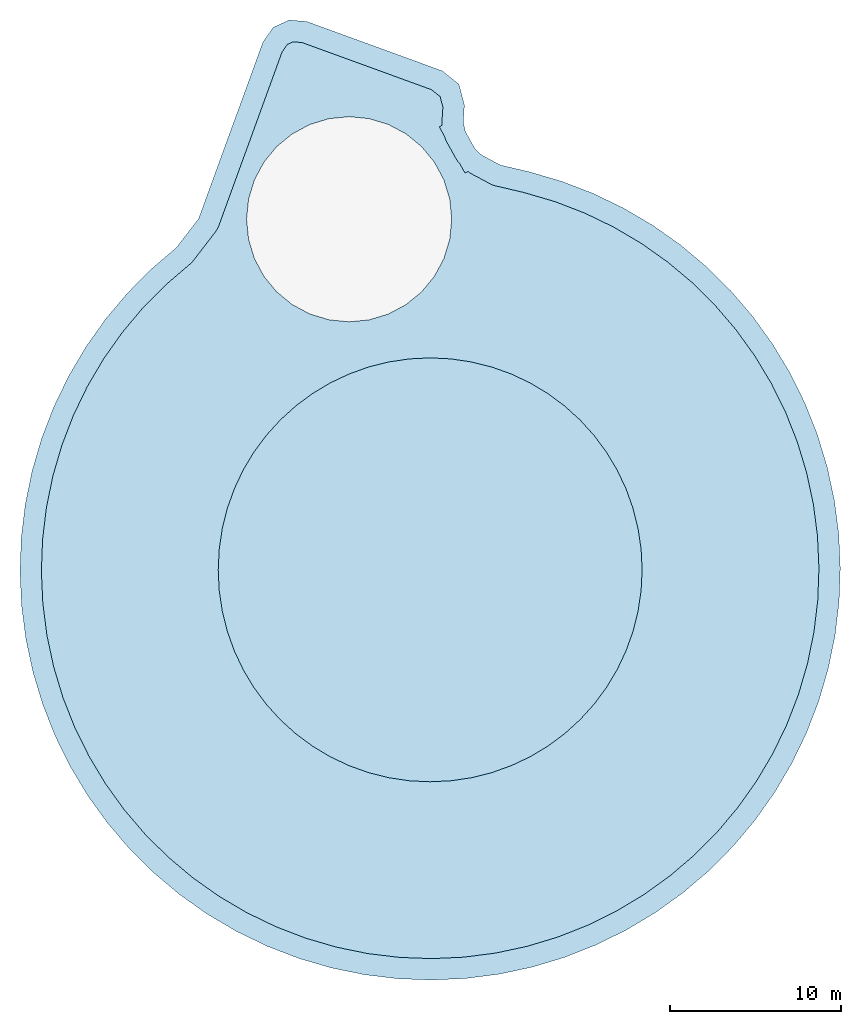
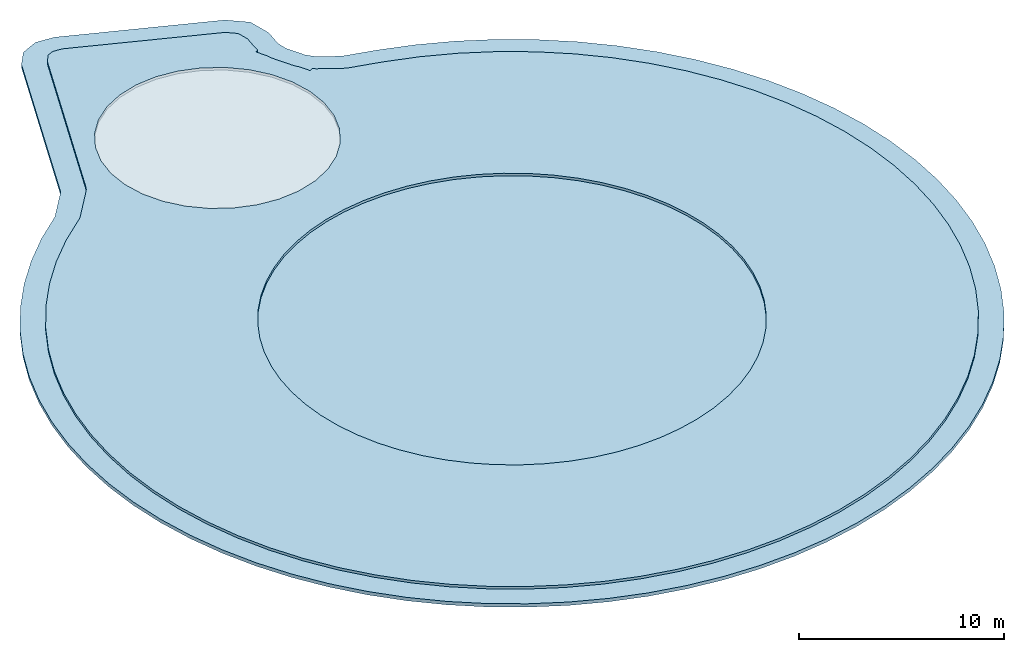
# One storey, part 1 of 2: 1 roof, 1 slab.
"""IFC4 building model written with IfcOpenShell, lengths in metres."""

from ifc_helpers import new_model, si_unit, direction, frame, origin, place, context, subcontext, project, spatial, polyline, outline, extrude, material, layer, layer_set, type_object, element, save


model = new_model("IFC4")

# Units and contexts
model_context = context("Model", 3, precision=1e-05, world=origin(), true_north=direction((0.0, 1.0)))
body_context = subcontext(model_context, "Body", "Model", "MODEL_VIEW")
ifc_project = project(units=[si_unit("LENGTHUNIT", "METRE"), si_unit("AREAUNIT", "SQUARE_METRE"), si_unit("VOLUMEUNIT", "CUBIC_METRE"), si_unit("PLANEANGLEUNIT", "RADIAN"), si_unit("MASSUNIT", "GRAM", prefix="KILO")], contexts=[model_context])

# Site, building, storey
site_placement = place(None, origin())
site = spatial("IfcSite", under=ifc_project, at=site_placement, CompositionType="ELEMENT")
building_placement = place(site_placement, origin())
building = spatial("IfcBuilding", under=site, at=building_placement, Name="Tamarind Cross Interchange Tower", CompositionType="ELEMENT")
storey_placement = place(building_placement, frame((0.0, 0.0, 329.39990234375)))
storey = spatial("IfcBuildingStorey", under=building, at=storey_placement, Name="ROOF", CompositionType="ELEMENT", Elevation=329.39990234375)

# Slab
ifc_material_1 = material(Name="Concrete C40", Category="concrete")
ifc_layer_1 = layer(ifc_material_1, 0.199951171875)
ifc_layer_set_1 = layer_set([ifc_layer_1], Name="Concrete C40")
slab_type = type_object("IfcSlabType", Name="Roof composite slab 200 Concrete C40", PredefinedType="ROOF", material=ifc_layer_set_1)
slab_placement = place(storey_placement, frame((0.0, 0.0, -0.199951171875)))
element("IfcSlab", 1, at=slab_placement, inside=storey, type_object=slab_type, Name="Crown roof slab", PredefinedType="ROOF", context=body_context, shape_type="SweptSolid", body=[
    extrude(outline(polyline([(-9.78173828125, 30.880859375), (-13.54248046875, 20.54736328125), (-14.847900390625, 18.848876953125), (-16.327880859375, 17.584228515625), (-17.72412109375, 16.17578125), (-18.99951171875, 14.656982421875), (-20.14501953125, 13.0380859375), (-21.15283203125, 11.329833984375), (-22.01611328125, 9.54443359375), (-22.72900390625, 7.693603515625), (-23.286865234375, 5.79052734375), (-23.685546875, 3.84765625), (-23.92236328125, 1.878662109375), (-23.99560546875, -0.103271484375), (-23.9052734375, -2.08447265625), (-23.651611328125, -4.051513671875), (-23.236083984375, -5.99072265625), (-22.662109375, -7.88916015625), (-21.93310546875, -9.7333984375), (-21.054443359375, -11.511474609375), (-20.031982421875, -13.2109375), (-18.87255859375, -14.820068359375), (-17.584228515625, -16.327880859375), (-16.17578125, -17.72412109375), (-14.656982421875, -18.99951171875), (-13.0380859375, -20.14501953125), (-11.329833984375, -21.15283203125), (-9.54443359375, -22.01611328125), (-7.693603515625, -22.72900390625), (-5.79052734375, -23.286865234375), (-3.84765625, -23.685546875), (-1.878662109375, -23.92236328125), (0.103271484375, -23.99560546875), (2.08447265625, -23.9052734375), (4.051513671875, -23.651611328125), (5.99072265625, -23.236083984375), (7.88916015625, -22.662109375), (9.7333984375, -21.93310546875), (11.511474609375, -21.054443359375), (13.2109375, -20.031982421875), (14.820068359375, -18.87255859375), (16.327880859375, -17.584228515625), (17.72412109375, -16.17578125), (18.99951171875, -14.656982421875), (20.14501953125, -13.0380859375), (21.15283203125, -11.329833984375), (22.01611328125, -9.54443359375), (22.72900390625, -7.693603515625), (23.286865234375, -5.79052734375), (23.685546875, -3.84765625), (23.92236328125, -1.878662109375), (23.99560546875, 0.103271484375), (23.9052734375, 2.08447265625), (23.651611328125, 4.051513671875), (23.236083984375, 5.99072265625), (22.662109375, 7.88916015625), (21.93310546875, 9.7333984375), (21.054443359375, 11.511474609375), (20.031982421875, 13.2109375), (18.87255859375, 14.820068359375), (17.584228515625, 16.327880859375), (16.17578125, 17.72412109375), (14.656982421875, 18.99951171875), (13.0380859375, 20.14501953125), (11.329833984375, 21.15283203125), (9.54443359375, 22.01611328125), (7.693603515625, 22.72900390625), (5.79052734375, 23.286865234375), (4.106689453125, 23.680908203125), (2.99658203125, 24.276123046875), (2.603515625, 24.663330078125), (2.0615234375, 25.6376953125), (1.940185546875, 26.17578125), (2.004638671875, 27.190673828125), (1.6826171875, 28.412109375), (0.692626953125, 29.197021484375), (-7.218505859375, 32.076171875), (-8.249755859375, 32.16650390625), (-9.18798828125, 31.72900390625), (-9.78173828125, 30.880859375)])), origin(), (0.0, 0.0, 1.0), 0.199951171875),
])

# Roof
ifc_material_2 = material(Name="Soil and planting substrate")
ifc_layer_2 = layer(ifc_material_2, 0.14990234375)
ifc_layer_set_2 = layer_set([ifc_layer_2], Name="Soil and planting substrate")
roof_type = type_object("IfcRoofType", Name="Green roof", PredefinedType="USERDEFINED", material=ifc_layer_set_2)
roof_placement = place(storey_placement, origin())
element("IfcRoof", 2, at=roof_placement, inside=storey, type_object=roof_type, Name="GRF-L80-C", ObjectType="Green roof", PredefinedType="USERDEFINED", context=body_context, shape_type="SweptSolid", body=[
    extrude(outline(polyline([(-8.663330078125, 30.298583984375), (-12.367919921875, 20.119873046875), (-12.41748046875, 20.00244140625), (-12.47900390625, 19.890625), (-12.551513671875, 19.78564453125), (-13.856689453125, 18.087158203125), (-13.94140625, 17.98828125), (-14.035888671875, 17.898681640625), (-15.4765625, 16.66748046875), (-16.800048828125, 15.33251953125), (-18.0087890625, 13.892822265625), (-19.094482421875, 12.358154296875), (-20.0498046875, 10.7392578125), (-20.868408203125, 9.046875), (-21.544189453125, 7.29248046875), (-22.07275390625, 5.488525390625), (-22.45068359375, 3.647216796875), (-22.675048828125, 1.78076171875), (-22.74462890625, -0.097900390625), (-22.658935546875, -1.975830078125), (-22.41845703125, -3.840087890625), (-22.024658203125, -5.678466796875), (-21.48046875, -7.477783203125), (-20.78955078125, -9.22607421875), (-19.956787109375, -10.911376953125), (-18.987548828125, -12.522216796875), (-17.888671875, -14.04736328125), (-16.66748046875, -15.4765625), (-15.33251953125, -16.800048828125), (-13.892822265625, -18.0087890625), (-12.358154296875, -19.094482421875), (-10.7392578125, -20.0498046875), (-9.046875, -20.868408203125), (-7.29248046875, -21.544189453125), (-5.488525390625, -22.07275390625), (-3.647216796875, -22.45068359375), (-1.78076171875, -22.675048828125), (0.097900390625, -22.74462890625), (1.975830078125, -22.658935546875), (3.840087890625, -22.41845703125), (5.678466796875, -22.024658203125), (7.477783203125, -21.48046875), (9.22607421875, -20.78955078125), (10.911376953125, -19.956787109375), (12.522216796875, -18.987548828125), (14.04736328125, -17.888671875), (15.4765625, -16.66748046875), (16.800048828125, -15.33251953125), (18.0087890625, -13.892822265625), (19.094482421875, -12.358154296875), (20.0498046875, -10.7392578125), (20.868408203125, -9.046875), (21.544189453125, -7.29248046875), (22.07275390625, -5.488525390625), (22.45068359375, -3.647216796875), (22.675048828125, -1.78076171875), (22.74462890625, 0.097900390625), (22.658935546875, 1.975830078125), (22.41845703125, 3.840087890625), (22.024658203125, 5.678466796875), (21.48046875, 7.477783203125), (20.78955078125, 9.22607421875), (19.956787109375, 10.911376953125), (18.987548828125, 12.522216796875), (17.888671875, 14.04736328125), (16.66748046875, 15.4765625), (15.33251953125, 16.800048828125), (13.892822265625, 18.0087890625), (12.358154296875, 19.094482421875), (10.7392578125, 20.0498046875), (9.046875, 20.868408203125), (7.29248046875, 21.544189453125), (5.471923828125, 22.07763671875), (3.82177734375, 22.464111328125), (3.716552734375, 22.493408203125), (3.6142578125, 22.531982421875), (3.515869140625, 22.579345703125), (2.406005859375, 23.174560546875), (2.303955078125, 23.23583984375), (2.212646484375, 23.302978515625), (2.083984375, 23.2314453125), (2.07958984375, 23.229248046875), (2.074951171875, 23.2275390625), (2.0703125, 23.226318359375), (2.0654296875, 23.2255859375), (2.060546875, 23.22509765625), (2.0556640625, 23.225341796875), (2.05078125, 23.225830078125), (2.0458984375, 23.22705078125), (2.041259765625, 23.228515625), (2.036865234375, 23.230712890625), (2.03271484375, 23.233154296875), (2.028564453125, 23.236083984375), (2.02490234375, 23.2392578125), (2.021484375, 23.242919921875), (2.0185546875, 23.24658203125), (2.01611328125, 23.250732421875), (1.724609375, 23.774658203125), (1.645751953125, 23.860107421875), (1.57373046875, 23.95458984375), (1.510986328125, 24.055908203125), (0.96923828125, 25.0302734375), (0.91650390625, 25.13671875), (0.8740234375, 25.247802734375), (0.843017578125, 25.360107421875), (0.557861328125, 25.872802734375), (0.555908203125, 25.877197265625), (0.553955078125, 25.881591796875), (0.552734375, 25.886474609375), (0.552001953125, 25.89111328125), (0.551513671875, 25.89599609375), (0.5517578125, 25.90087890625), (0.552490234375, 25.906005859375), (0.553466796875, 25.91064453125), (0.55517578125, 25.915283203125), (0.55712890625, 25.919921875), (0.5595703125, 25.924072265625), (0.5625, 25.927978515625), (0.565673828125, 25.931640625), (0.5693359375, 25.93505859375), (0.5732421875, 25.93798828125), (0.577392578125, 25.940673828125), (0.70166015625, 26.009765625), (0.7001953125, 26.017822265625), (0.69091796875, 26.136474609375), (0.692626953125, 26.25537109375), (0.744384765625, 27.06787109375), (0.580078125, 27.691162109375), (0.074951171875, 28.091796875), (-7.4912109375, 30.84521484375), (-8.02490234375, 30.89208984375), (-8.356201171875, 30.737548828125), (-8.663330078125, 30.298583984375)]), holes=[polyline([(11.4560546875, 4.745361328125), (11.8662109375, 3.599609375), (12.16162109375, 2.419189453125), (12.34033203125, 1.21533203125), (12.39990234375, 0.0), (12.34033203125, -1.21533203125), (12.16162109375, -2.419189453125), (11.8662109375, -3.599609375), (11.4560546875, -4.745361328125), (10.935791015625, -5.84521484375), (10.310302734375, -6.88916015625), (9.585205078125, -7.866455078125), (8.76806640625, -8.76806640625), (7.866455078125, -9.585205078125), (6.88916015625, -10.310302734375), (5.84521484375, -10.935791015625), (4.745361328125, -11.4560546875), (3.599609375, -11.8662109375), (2.419189453125, -12.16162109375), (1.21533203125, -12.34033203125), (0.0, -12.39990234375), (-1.21533203125, -12.34033203125), (-2.419189453125, -12.16162109375), (-3.599609375, -11.8662109375), (-4.745361328125, -11.4560546875), (-5.84521484375, -10.935791015625), (-6.88916015625, -10.310302734375), (-7.866455078125, -9.585205078125), (-8.76806640625, -8.76806640625), (-9.585205078125, -7.866455078125), (-10.310302734375, -6.88916015625), (-10.935791015625, -5.84521484375), (-11.4560546875, -4.745361328125), (-11.8662109375, -3.599609375), (-12.16162109375, -2.419189453125), (-12.34033203125, -1.21533203125), (-12.39990234375, 0.0), (-12.34033203125, 1.21533203125), (-12.16162109375, 2.419189453125), (-11.8662109375, 3.599609375), (-11.4560546875, 4.745361328125), (-10.935791015625, 5.84521484375), (-10.310302734375, 6.88916015625), (-9.585205078125, 7.866455078125), (-8.76806640625, 8.76806640625), (-7.866455078125, 9.585205078125), (-6.88916015625, 10.310302734375), (-5.84521484375, 10.935791015625), (-4.745361328125, 11.4560546875), (-3.599609375, 11.8662109375), (-2.419189453125, 12.16162109375), (-1.21533203125, 12.34033203125), (0.0, 12.39990234375), (1.21533203125, 12.34033203125), (2.419189453125, 12.16162109375), (3.599609375, 11.8662109375), (4.745361328125, 11.4560546875), (5.84521484375, 10.935791015625), (6.88916015625, 10.310302734375), (7.866455078125, 9.585205078125), (8.76806640625, 8.76806640625), (9.585205078125, 7.866455078125), (10.310302734375, 6.88916015625), (10.935791015625, 5.84521484375), (11.4560546875, 4.745361328125)]), polyline([(1.144775390625, 21.680419921875), (1.260009765625, 20.510009765625), (1.144775390625, 19.339599609375), (0.80322265625, 18.2138671875), (0.248779296875, 17.176513671875), (-0.497314453125, 16.267333984375), (-1.406494140625, 15.521240234375), (-2.44384765625, 14.966796875), (-3.569580078125, 14.625244140625), (-4.739990234375, 14.510009765625), (-5.910400390625, 14.625244140625), (-7.0361328125, 14.966796875), (-8.073486328125, 15.521240234375), (-8.982666015625, 16.267333984375), (-9.728759765625, 17.176513671875), (-10.283203125, 18.2138671875), (-10.624755859375, 19.339599609375), (-10.739990234375, 20.510009765625), (-10.624755859375, 21.680419921875), (-10.283203125, 22.80615234375), (-9.728759765625, 23.843505859375), (-8.982666015625, 24.752685546875), (-8.073486328125, 25.498779296875), (-7.0361328125, 26.05322265625), (-5.910400390625, 26.394775390625), (-4.739990234375, 26.510009765625), (-3.569580078125, 26.394775390625), (-2.44384765625, 26.05322265625), (-1.406494140625, 25.498779296875), (-0.497314453125, 24.752685546875), (0.248779296875, 23.843505859375), (0.80322265625, 22.80615234375), (1.144775390625, 21.680419921875)])]), origin(), (0.0, 0.0, 1.0), 0.150146484375),
])

save(model, "model.ifc")
